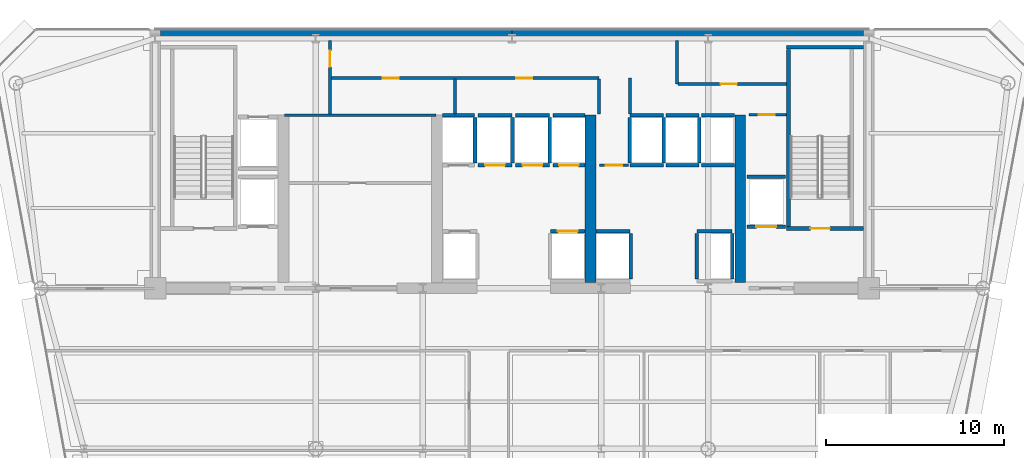
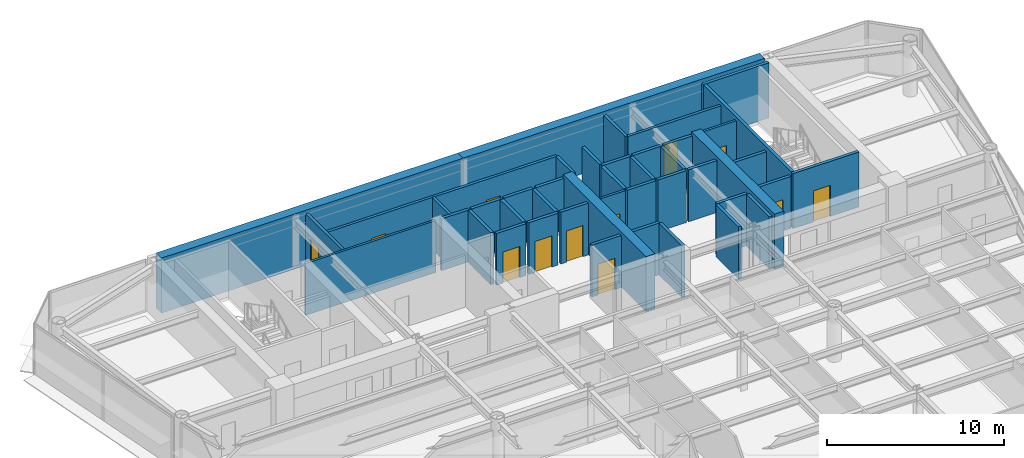
# One storey, part 11 of 16: 44 walls, 12 doors, 12 openings.
"""IFC4 building model written with IfcOpenShell, lengths in metres."""

from ifc_helpers import new_model, si_unit, direction, frame, frame_2d, origin, place, context, subcontext, project, spatial, rectangle, extrude, source, transform, mapped, material, layer, layer_set, type_object, element, fill, save


model = new_model("IFC4")

# Units and contexts
model_context = context("Model", 3, precision=1e-05, world=origin(), true_north=direction((0.0, 1.0)))
body_context = subcontext(model_context, "Body", "Model", "MODEL_VIEW")
ifc_project = project(units=[si_unit("LENGTHUNIT", "METRE"), si_unit("AREAUNIT", "SQUARE_METRE"), si_unit("VOLUMEUNIT", "CUBIC_METRE"), si_unit("PLANEANGLEUNIT", "RADIAN"), si_unit("MASSUNIT", "GRAM", prefix="KILO")], contexts=[model_context])

# Site, building, storey
site_placement = place(None, origin())
site = spatial("IfcSite", under=ifc_project, at=site_placement, CompositionType="ELEMENT")
building_placement = place(site_placement, origin())
building = spatial("IfcBuilding", under=site, at=building_placement, Name="Vaeldorn Concourse Tower", CompositionType="ELEMENT")
storey_placement = place(building_placement, frame((0.0, 0.0, 184.199951171875)))
storey = spatial("IfcBuildingStorey", under=building, at=storey_placement, Name="L47", CompositionType="ELEMENT", Elevation=184.199951171875)

# Walls
ifc_material_1 = material(Name="Concrete C50/60", Category="concrete")
ifc_layer_1 = layer(ifc_material_1, 0.60009765625)
ifc_layer_set_1 = layer_set([ifc_layer_1], Name="Concrete C50/60")
wall_type_1 = type_object("IfcWallType", Name="WL-CORE-600", PredefinedType="SHEAR", material=ifc_layer_set_1)
for number, where, z_axis, x_axis, name in (
    (1, (14.303955078125, 50.699951171875, 0.0), (0.0, 0.0, 1.0), (1.0, 0.0, 0.0), "Rear Core Shear Wall L47 N1"),
    (2, (34.001953125, 50.699951171875, 0.0), (0.0, 0.0, 1.0), (1.0, 0.0, 0.0), "Rear Core Shear Wall L47 N2"),
):
    element("IfcWall", number, at=place(storey_placement, frame(where, z_axis=z_axis, x_axis=x_axis)), inside=storey, type_object=wall_type_1, Name=name, PredefinedType="SHEAR", context=body_context, shape_type="SweptSolid", body=[
        extrude(rectangle(XDim=19.694091796875, YDim=0.60009765625, at=frame_2d((9.84716796875, 0.0))), origin(), (0.0, 0.0, 1.0), 3.800048828125),
    ])
for number, where, z_axis, x_axis, name in (
    (3, (38.39990234375, 36.820068359375, 0.0), (0.0, 0.0, 1.0), (0.0, 1.0, 0.0), "Rear Core Shear Wall L47 M3"),
    (4, (46.800048828125, 36.820068359375, 0.0), (0.0, 0.0, 1.0), (0.0, 1.0, 0.0), "Rear Core Shear Wall L47 M4"),
):
    element("IfcWall", number, at=place(storey_placement, frame(where, z_axis=z_axis, x_axis=x_axis)), inside=storey, type_object=wall_type_1, Name=name, PredefinedType="SHEAR", context=body_context, shape_type="SweptSolid", body=[
        extrude(rectangle(XDim=9.3798828125, YDim=0.60009765625, at=frame_2d((4.68994140625, 0.0))), origin(), (0.0, 0.0, 1.0), 3.800048828125),
    ])
ifc_material_2 = material(Name="Gypsum Board Partition", Category="gypsum")
ifc_layer_2 = layer(ifc_material_2, 0.14990234375)
ifc_layer_set_2 = layer_set([ifc_layer_2], Name="Gypsum Board Partition")
wall_type_2 = type_object("IfcWallType", Name="WL-PART-150", PredefinedType="PARTITIONING", material=ifc_layer_set_2)
wall_1_placement = place(storey_placement, frame((21.25, 46.199951171875, 0.0), z_axis=(0.0, 0.0, 1.0), x_axis=(1.0, 0.0, 0.0)))
element("IfcWall", 5, at=wall_1_placement, inside=storey, type_object=wall_type_2, Name="Interior Wall CW-L47-R1N", PredefinedType="PARTITIONING", context=body_context, shape_type="SweptSolid", body=[
    extrude(rectangle(XDim=8.5, YDim=0.14990234375, at=frame_2d((4.25, 0.0))), origin(), (0.0, 0.0, 1.0), 3.580078125),
])

# Wall, opening, door
wall_2_placement = place(storey_placement, frame((47.280029296875, 46.219970703125, 0.0), z_axis=(0.0, 0.0, 1.0), x_axis=(1.0, 0.0, 0.0)))
wall_2 = element("IfcWall", 6, at=wall_2_placement, inside=storey, type_object=wall_type_2, Name="Interior Wall CW-L47-CRSE-N", PredefinedType="PARTITIONING", context=body_context, shape_type="SweptSolid", body=[
    extrude(rectangle(XDim=2.099853515625, YDim=0.14990234375, at=frame_2d((1.0498046875, 0.0))), origin(), (0.0, 0.0, 1.0), 3.580078125),
])
opening_1_placement = place(wall_2_placement, frame((0.550048828125, 0.0, 0.0)))
opening_1 = element("IfcOpeningElement", 7, at=opening_1_placement, cuts=wall_2, Name="Opening D-02", PredefinedType="OPENING", context=body_context, shape_type="SweptSolid", body=[
    extrude(rectangle(XDim=0.89990234375, YDim=2.10009765625, at=frame_2d((0.449951171875, 1.050048828125))), frame((0.0, 0.0849609375, 0.0), z_axis=(0.0, -1.0, 0.0), x_axis=(1.0, 0.0, 0.0)), (0.0, 0.0, 1.0), 0.169921875),
])
ifc_material_3 = material(Name="Fire-Rated Timber Leaf", Category="wood")
door_type_1 = type_object("IfcDoorType", Name="DR-FD30-900", OperationType="NOTDEFINED", PredefinedType="DOOR", material=ifc_material_3)
shared_shape_1 = source(origin(), body_context, "Body", "SweptSolid", [
    extrude(rectangle(XDim=0.89990234375, YDim=2.10009765625, at=frame_2d((0.449951171875, 1.050048828125))), frame((0.0, 0.02490234375, 0.0), z_axis=(0.0, -1.0, 0.0), x_axis=(1.0, 0.0, 0.0)), (0.0, 0.0, 1.0), 0.050048828125),
])
door_1_placement = place(opening_1_placement, origin())
door_1 = element("IfcDoor", 8, at=door_1_placement, inside=storey, type_object=door_type_1, Name="Interior Door DR-L47-CRSE", OperationType="SINGLE_SWING_RIGHT", OverallHeight=2.10009765625, OverallWidth=0.89990234375, PredefinedType="DOOR", context=body_context, shape_type="MappedRepresentation", body=[
    mapped(shared_shape_1, transform((0.0, 0.0, 0.0), scale=1.0)),
])
fill(opening_1, door_1)

wall_3_placement = place(storey_placement, frame((38.919921875, 43.39990234375, 0.0), z_axis=(0.0, 0.0, 1.0), x_axis=(1.0, 0.0, 0.0)))
wall_3 = element("IfcWall", 9, at=wall_3_placement, inside=storey, type_object=wall_type_2, Name="Interior Wall CW-L47-CCLINK", PredefinedType="PARTITIONING", context=body_context, shape_type="SweptSolid", body=[
    extrude(rectangle(XDim=1.60009765625, YDim=0.14990234375, at=frame_2d((0.800048828125, 0.0))), origin(), (0.0, 0.0, 1.0), 3.580078125),
])
opening_2_placement = place(wall_3_placement, frame((0.35009765625, 0.0, 0.0)))
opening_2 = element("IfcOpeningElement", 10, at=opening_2_placement, cuts=wall_3, Name="Opening D-02", PredefinedType="OPENING", context=body_context, shape_type="SweptSolid", body=[
    extrude(rectangle(XDim=0.89990234375, YDim=2.10009765625, at=frame_2d((0.449951171875, 1.050048828125))), frame((0.0, 0.0849609375, 0.0), z_axis=(0.0, -1.0, 0.0), x_axis=(1.0, 0.0, 0.0)), (0.0, 0.0, 1.0), 0.169921875),
])
door_2_placement = place(opening_2_placement, origin())
door_2 = element("IfcDoor", 11, at=door_2_placement, inside=storey, type_object=door_type_1, Name="Interior Door DR-L47-CCLINK", OperationType="SINGLE_SWING_LEFT", OverallHeight=2.10009765625, OverallWidth=0.89990234375, PredefinedType="DOOR", context=body_context, shape_type="MappedRepresentation", body=[
    mapped(shared_shape_1, transform((0.0, 0.0, 0.0), scale=1.0)),
])
fill(opening_2, door_2)

# Wall, openings, doors
ifc_layer_3 = layer(ifc_material_2, 0.179931640625)
ifc_layer_set_3 = layer_set([ifc_layer_3], Name="Gypsum Board Partition")
wall_type_3 = type_object("IfcWallType", Name="WL-PLUMB-180", PredefinedType="PLUMBINGWALL", material=ifc_layer_set_3)
wall_4_placement = place(storey_placement, frame((23.85009765625, 48.280029296875, 0.0), z_axis=(0.0, 0.0, 1.0), x_axis=(1.0, 0.0, 0.0)))
wall_4 = element("IfcWall", 12, at=wall_4_placement, inside=storey, type_object=wall_type_3, Name="Interior Wall CW-L47-NS2W", PredefinedType="PLUMBINGWALL", context=body_context, shape_type="SweptSolid", body=[
    extrude(rectangle(XDim=15.02978515625, YDim=0.179931640625, at=frame_2d((7.514892578125, 0.0))), origin(), (0.0, 0.0, 1.0), 3.580078125),
])
opening_3_placement = place(wall_4_placement, frame((2.89990234375, 0.0, 0.0)))
opening_3 = element("IfcOpeningElement", 13, at=opening_3_placement, cuts=wall_4, Name="Opening D-03", PredefinedType="OPENING", context=body_context, shape_type="SweptSolid", body=[
    extrude(rectangle(XDim=0.89990234375, YDim=2.14990234375, at=frame_2d((0.449951171875, 1.074951171875))), frame((0.0, 0.10009765625, 0.0), z_axis=(0.0, -1.0, 0.0), x_axis=(1.0, 0.0, 0.0)), (0.0, 0.0, 1.0), 0.199951171875),
])
opening_4_placement = place(wall_4_placement, frame((10.39990234375, 0.0, 0.0)))
opening_4 = element("IfcOpeningElement", 14, at=opening_4_placement, cuts=wall_4, Name="Opening D-03", PredefinedType="OPENING", context=body_context, shape_type="SweptSolid", body=[
    extrude(rectangle(XDim=0.89990234375, YDim=2.14990234375, at=frame_2d((0.449951171875, 1.074951171875))), frame((0.0, 0.10009765625, 0.0), z_axis=(0.0, -1.0, 0.0), x_axis=(1.0, 0.0, 0.0)), (0.0, 0.0, 1.0), 0.199951171875),
])
ifc_material_4 = material(Name="Acoustic Bronze-Framed Glass Door", Category="glass")
door_type_2 = type_object("IfcDoorType", Name="DR-INT-900", OperationType="NOTDEFINED", PredefinedType="DOOR", material=ifc_material_4)
shared_shape_2 = source(origin(), body_context, "Body", "SweptSolid", [
    extrude(rectangle(XDim=0.89990234375, YDim=2.14990234375, at=frame_2d((0.449951171875, 1.074951171875))), frame((0.0, 0.02490234375, 0.0), z_axis=(0.0, -1.0, 0.0), x_axis=(1.0, 0.0, 0.0)), (0.0, 0.0, 1.0), 0.050048828125),
])
door_3_placement = place(opening_3_placement, origin())
door_3 = element("IfcDoor", 15, at=door_3_placement, inside=storey, type_object=door_type_2, Name="Interior Door DR-L47-CS2", OperationType="SINGLE_SWING_RIGHT", OverallHeight=2.14990234375, OverallWidth=0.89990234375, PredefinedType="DOOR", context=body_context, shape_type="MappedRepresentation", body=[
    mapped(shared_shape_2, transform((0.0, 0.0, 0.0), scale=1.0)),
])
fill(opening_3, door_3)
door_4_placement = place(opening_4_placement, origin())
door_4 = element("IfcDoor", 16, at=door_4_placement, inside=storey, type_object=door_type_2, Name="Interior Door DR-L47-CS3", OperationType="SINGLE_SWING_LEFT", OverallHeight=2.14990234375, OverallWidth=0.89990234375, PredefinedType="DOOR", context=body_context, shape_type="MappedRepresentation", body=[
    mapped(shared_shape_2, transform((0.0, 0.0, 0.0), scale=1.0)),
])
fill(opening_4, door_4)

# Wall, opening, door
wall_5_placement = place(storey_placement, frame((23.800048828125, 46.280029296875, 0.0), z_axis=(0.0, 0.0, 1.0), x_axis=(0.0, 1.0, 0.0)))
wall_5 = element("IfcWall", 17, at=wall_5_placement, inside=storey, type_object=wall_type_3, Name="Interior Wall CW-L47-SDIV1", PredefinedType="PLUMBINGWALL", context=body_context, shape_type="SweptSolid", body=[
    extrude(rectangle(XDim=4.099853515625, YDim=0.179931640625, at=frame_2d((2.0498046875, 0.0))), origin(), (0.0, 0.0, 1.0), 3.580078125),
])
opening_5_placement = place(wall_5_placement, frame((2.635009765625, 0.0, 0.0)))
opening_5 = element("IfcOpeningElement", 18, at=opening_5_placement, cuts=wall_5, Name="Opening D-03", PredefinedType="OPENING", context=body_context, shape_type="SweptSolid", body=[
    extrude(rectangle(XDim=0.89990234375, YDim=2.14990234375, at=frame_2d((0.449951171875, 1.074951171875))), frame((0.0, 0.10009765625, 0.0), z_axis=(0.0, -1.0, 0.0), x_axis=(1.0, 0.0, 0.0)), (0.0, 0.0, 1.0), 0.199951171875),
])
door_5_placement = place(opening_5_placement, origin())
door_5 = element("IfcDoor", 19, at=door_5_placement, inside=storey, type_object=door_type_2, Name="Interior Door DR-L47-CS1", OperationType="SINGLE_SWING_LEFT", OverallHeight=2.14990234375, OverallWidth=0.89990234375, PredefinedType="DOOR", context=body_context, shape_type="MappedRepresentation", body=[
    mapped(shared_shape_2, transform((0.0, 0.0, 0.0), scale=1.0)),
])
fill(opening_5, door_5)

# Walls
for number, where, z_axis, x_axis, name in (
    (20, (30.800048828125, 46.280029296875, 0.0), (0.0, 0.0, 1.0), (0.0, 1.0, 0.0), "Interior Wall CW-L47-SDIV2"),
    (21, (38.8798828125, 46.280029296875, 0.0), (0.0, 0.0, 1.0), (0.0, 1.0, 0.0), "Interior Wall CW-L47-SDIV4"),
):
    element("IfcWall", number, at=place(storey_placement, frame(where, z_axis=z_axis, x_axis=x_axis)), inside=storey, type_object=wall_type_3, Name=name, PredefinedType="PLUMBINGWALL", context=body_context, shape_type="SweptSolid", body=[
        extrude(rectangle(XDim=1.93994140625, YDim=0.179931640625, at=frame_2d((0.969970703125, 0.0))), origin(), (0.0, 0.0, 1.0), 3.580078125),
    ])
wall_6_placement = place(storey_placement, frame((40.6201171875, 46.280029296875, 0.0), z_axis=(0.0, 0.0, 1.0), x_axis=(0.0, 1.0, 0.0)))
element("IfcWall", 22, at=wall_6_placement, inside=storey, type_object=wall_type_3, Name="Interior Wall CW-L47-SDIV5", PredefinedType="PLUMBINGWALL", context=body_context, shape_type="SweptSolid", body=[
    extrude(rectangle(XDim=2.0, YDim=0.179931640625, at=frame_2d((1.0, 0.0))), origin(), (0.0, 0.0, 1.0), 3.580078125),
])
wall_7_placement = place(storey_placement, frame((43.25, 47.949951171875, 0.0), z_axis=(0.0, 0.0, 1.0), x_axis=(0.0, 1.0, 0.0)))
element("IfcWall", 23, at=wall_7_placement, inside=storey, type_object=wall_type_3, Name="Interior Wall CW-L47-SDIV6", PredefinedType="PLUMBINGWALL", context=body_context, shape_type="SweptSolid", body=[
    extrude(rectangle(XDim=2.429931640625, YDim=0.179931640625, at=frame_2d((1.21484375, 0.0))), origin(), (0.0, 0.0, 1.0), 3.580078125),
])

# Wall, opening, door
wall_8_placement = place(storey_placement, frame((43.300048828125, 47.949951171875, 0.0), z_axis=(0.0, 0.0, 1.0), x_axis=(1.0, 0.0, 0.0)))
wall_8 = element("IfcWall", 24, at=wall_8_placement, inside=storey, type_object=wall_type_3, Name="Interior Wall CW-L47-NS2EE", PredefinedType="PLUMBINGWALL", context=body_context, shape_type="SweptSolid", body=[
    extrude(rectangle(XDim=6.079833984375, YDim=0.179931640625, at=frame_2d((3.0400390625, 0.0))), origin(), (0.0, 0.0, 1.0), 3.580078125),
])
opening_6_placement = place(wall_8_placement, frame((2.39990234375, 0.0, 0.0)))
opening_6 = element("IfcOpeningElement", 25, at=opening_6_placement, cuts=wall_8, Name="Opening D-03", PredefinedType="OPENING", context=body_context, shape_type="SweptSolid", body=[
    extrude(rectangle(XDim=0.89990234375, YDim=2.14990234375, at=frame_2d((0.449951171875, 1.074951171875))), frame((0.0, 0.10009765625, 0.0), z_axis=(0.0, -1.0, 0.0), x_axis=(1.0, 0.0, 0.0)), (0.0, 0.0, 1.0), 0.199951171875),
])
door_6_placement = place(opening_6_placement, origin())
door_6 = element("IfcDoor", 26, at=door_6_placement, inside=storey, type_object=door_type_2, Name="Interior Door DR-L47-CS5", OperationType="SINGLE_SWING_RIGHT", OverallHeight=2.14990234375, OverallWidth=0.89990234375, PredefinedType="DOOR", context=body_context, shape_type="MappedRepresentation", body=[
    mapped(shared_shape_2, transform((0.0, 0.0, 0.0), scale=1.0)),
])
fill(opening_6, door_6)

ifc_layer_4 = layer(ifc_material_1, 0.199951171875)
ifc_layer_set_4 = layer_set([ifc_layer_4], Name="Concrete C50/60")
wall_type_4 = type_object("IfcWallType", Name="WL-SHAFT-200", PredefinedType="SOLIDWALL", material=ifc_layer_set_4)
wall_9_placement = place(storey_placement, frame((49.39990234375, 39.85009765625, 0.0), z_axis=(0.0, 0.0, 1.0), x_axis=(1.0, 0.0, 0.0)))
wall_9 = element("IfcWall", 27, at=wall_9_placement, inside=storey, type_object=wall_type_4, Name="Stair Shaft Wall CW-L47-ST-2-S", PredefinedType="SOLIDWALL", context=body_context, shape_type="SweptSolid", body=[
    extrude(rectangle(XDim=4.300048828125, YDim=0.199951171875, at=frame_2d((2.14990234375, 0.0))), origin(), (0.0, 0.0, 1.0), 3.800048828125),
])
opening_7_placement = place(wall_9_placement, frame((1.324951171875, 0.0, 0.0)))
opening_7 = element("IfcOpeningElement", 28, at=opening_7_placement, cuts=wall_9, Name="Opening D-01", PredefinedType="OPENING", context=body_context, shape_type="SweptSolid", body=[
    extrude(rectangle(XDim=1.10009765625, YDim=2.14990234375, at=frame_2d((0.550048828125, 1.074951171875))), frame((0.0, 0.10986328125, 0.0), z_axis=(0.0, -1.0, 0.0), x_axis=(1.0, 0.0, 0.0)), (0.0, 0.0, 1.0), 0.219970703125),
])
ifc_material_5 = material(Name="Fire-Rated Timber and Steel Leaf", Category="steel")
door_type_3 = type_object("IfcDoorType", Name="DR-FD60-1100", OperationType="NOTDEFINED", PredefinedType="DOOR", material=ifc_material_5)
shared_shape_3 = source(origin(), body_context, "Body", "SweptSolid", [
    extrude(rectangle(XDim=1.10009765625, YDim=2.14990234375, at=frame_2d((0.550048828125, 1.074951171875))), frame((0.0, 0.02490234375, 0.0), z_axis=(0.0, -1.0, 0.0), x_axis=(1.0, 0.0, 0.0)), (0.0, 0.0, 1.0), 0.050048828125),
])
door_7_placement = place(opening_7_placement, origin())
door_7 = element("IfcDoor", 29, at=door_7_placement, inside=storey, type_object=door_type_3, Name="Interior Door DR-L47-ST-2", OperationType="SINGLE_SWING_RIGHT", OverallHeight=2.14990234375, OverallWidth=1.10009765625, PredefinedType="DOOR", context=body_context, shape_type="MappedRepresentation", body=[
    mapped(shared_shape_3, transform((0.0, 0.0, 0.0), scale=1.0)),
])
fill(opening_7, door_7)

# Walls
wall_10_placement = place(storey_placement, frame((49.39990234375, 50.0, 0.0), z_axis=(0.0, 0.0, 1.0), x_axis=(1.0, 0.0, 0.0)))
element("IfcWall", 30, at=wall_10_placement, inside=storey, type_object=wall_type_4, Name="Stair Shaft Wall CW-L47-ST-2-N", PredefinedType="SOLIDWALL", context=body_context, shape_type="SweptSolid", body=[
    extrude(rectangle(XDim=4.300048828125, YDim=0.199951171875, at=frame_2d((2.14990234375, 0.0))), origin(), (0.0, 0.0, 1.0), 3.800048828125),
])
wall_11_placement = place(storey_placement, frame((49.5, 39.9599609375, 0.0), z_axis=(0.0, 0.0, 1.0), x_axis=(0.0, 1.0, 0.0)))
element("IfcWall", 31, at=wall_11_placement, inside=storey, type_object=wall_type_4, Name="Stair Shaft Wall CW-L47-ST-2-W", PredefinedType="SOLIDWALL", context=body_context, shape_type="SweptSolid", body=[
    extrude(rectangle(XDim=9.929931640625, YDim=0.199951171875, at=frame_2d((4.96484375, 0.0))), origin(), (0.0, 0.0, 1.0), 3.800048828125),
])

# Wall, opening, door
wall_12_placement = place(storey_placement, frame((36.169921875, 39.699951171875, 0.0), z_axis=(0.0, 0.0, 1.0), x_axis=(1.0, 0.0, 0.0)))
wall_12 = element("IfcWall", 32, at=wall_12_placement, inside=storey, type_object=wall_type_4, Name="Interior Wall CW-L47-LF-LF-08", PredefinedType="SOLIDWALL", context=body_context, shape_type="SweptSolid", body=[
    extrude(rectangle(XDim=1.920166015625, YDim=0.199951171875, at=frame_2d((0.9599609375, 0.0))), origin(), (0.0, 0.0, 1.0), 3.580078125),
])
opening_8_placement = place(wall_12_placement, frame((0.409912109375, 0.0, 0.0)))
opening_8 = element("IfcOpeningElement", 33, at=opening_8_placement, cuts=wall_12, Name="Opening LD-1", PredefinedType="OPENING", context=body_context, shape_type="SweptSolid", body=[
    extrude(rectangle(XDim=1.10009765625, YDim=2.14990234375, at=frame_2d((0.550048828125, 1.074951171875))), frame((0.0, 0.10986328125, 0.0), z_axis=(0.0, -1.0, 0.0), x_axis=(1.0, 0.0, 0.0)), (0.0, 0.0, 1.0), 0.219970703125),
])
ifc_material_6 = material(Name="Anodised Bronze Aluminium", Category="aluminium")
door_type_4 = type_object("IfcDoorType", Name="DR-LIFT-SLIDE-1100", OperationType="DOUBLE_DOOR_SLIDING", PredefinedType="DOOR", material=ifc_material_6)
door_8_placement = place(opening_8_placement, origin())
door_8 = element("IfcDoor", 34, at=door_8_placement, inside=storey, type_object=door_type_4, Name="Lift Landing Door LD-L47-LF-08", OperationType="DOUBLE_DOOR_SLIDING", OverallHeight=2.14990234375, OverallWidth=1.10009765625, PredefinedType="DOOR", context=body_context, shape_type="MappedRepresentation", body=[
    mapped(shared_shape_3, transform((0.0, 0.0, 0.0), scale=1.0)),
])
fill(opening_8, door_8)

# Walls
wall_13_placement = place(storey_placement, frame((30.110107421875, 46.199951171875, 0.0), z_axis=(0.0, 0.0, 1.0), x_axis=(1.0, 0.0, 0.0)))
element("IfcWall", 35, at=wall_13_placement, inside=storey, type_object=wall_type_4, Name="Interior Wall CW-L47-LFB-LF-09", PredefinedType="SOLIDWALL", context=body_context, shape_type="SweptSolid", body=[
    extrude(rectangle(XDim=1.7998046875, YDim=0.199951171875, at=frame_2d((0.89990234375, 0.0))), origin(), (0.0, 0.0, 1.0), 3.580078125),
])
wall_14_placement = place(storey_placement, frame((31.929931640625, 43.52001953125, 0.0), z_axis=(0.0, 0.0, 1.0), x_axis=(0.0, 1.0, 0.0)))
element("IfcWall", 36, at=wall_14_placement, inside=storey, type_object=wall_type_4, Name="Interior Wall CW-L47-LFE-LF-09", PredefinedType="SOLIDWALL", context=body_context, shape_type="SweptSolid", body=[
    extrude(rectangle(XDim=2.56005859375, YDim=0.199951171875, at=frame_2d((1.280029296875, 0.0))), origin(), (0.0, 0.0, 1.0), 3.580078125),
])

# Wall, opening, door
wall_15_placement = place(storey_placement, frame((32.090087890625, 43.39990234375, 0.0), z_axis=(0.0, 0.0, 1.0), x_axis=(1.0, 0.0, 0.0)))
wall_15 = element("IfcWall", 37, at=wall_15_placement, inside=storey, type_object=wall_type_4, Name="Interior Wall CW-L47-LF-LF-10", PredefinedType="SOLIDWALL", context=body_context, shape_type="SweptSolid", body=[
    extrude(rectangle(XDim=1.919921875, YDim=0.199951171875, at=frame_2d((0.9599609375, 0.0))), origin(), (0.0, 0.0, 1.0), 3.580078125),
])
opening_9_placement = place(wall_15_placement, frame((0.409912109375, 0.0, 0.0)))
opening_9 = element("IfcOpeningElement", 38, at=opening_9_placement, cuts=wall_15, Name="Opening LD-1", PredefinedType="OPENING", context=body_context, shape_type="SweptSolid", body=[
    extrude(rectangle(XDim=1.10009765625, YDim=2.14990234375, at=frame_2d((0.550048828125, 1.074951171875))), frame((0.0, 0.10986328125, 0.0), z_axis=(0.0, -1.0, 0.0), x_axis=(1.0, 0.0, 0.0)), (0.0, 0.0, 1.0), 0.219970703125),
])
door_9_placement = place(opening_9_placement, origin())
door_9 = element("IfcDoor", 39, at=door_9_placement, inside=storey, type_object=door_type_4, Name="Lift Landing Door LD-L47-LF-10", OperationType="DOUBLE_DOOR_SLIDING", OverallHeight=2.14990234375, OverallWidth=1.10009765625, PredefinedType="DOOR", context=body_context, shape_type="MappedRepresentation", body=[
    mapped(shared_shape_3, transform((0.0, 0.0, 0.0), scale=1.0)),
])
fill(opening_9, door_9)

# Walls
wall_16_placement = place(storey_placement, frame((32.090087890625, 46.199951171875, 0.0), z_axis=(0.0, 0.0, 1.0), x_axis=(1.0, 0.0, 0.0)))
element("IfcWall", 40, at=wall_16_placement, inside=storey, type_object=wall_type_4, Name="Interior Wall CW-L47-LFB-LF-10", PredefinedType="SOLIDWALL", context=body_context, shape_type="SweptSolid", body=[
    extrude(rectangle(XDim=1.919921875, YDim=0.199951171875, at=frame_2d((0.9599609375, 0.0))), origin(), (0.0, 0.0, 1.0), 3.580078125),
])
wall_17_placement = place(storey_placement, frame((34.030029296875, 43.52001953125, 0.0), z_axis=(0.0, 0.0, 1.0), x_axis=(0.0, 1.0, 0.0)))
element("IfcWall", 41, at=wall_17_placement, inside=storey, type_object=wall_type_4, Name="Interior Wall CW-L47-LFE-LF-10", PredefinedType="SOLIDWALL", context=body_context, shape_type="SweptSolid", body=[
    extrude(rectangle(XDim=2.56005859375, YDim=0.199951171875, at=frame_2d((1.280029296875, 0.0))), origin(), (0.0, 0.0, 1.0), 3.580078125),
])

# Wall, opening, door
wall_18_placement = place(storey_placement, frame((34.18994140625, 43.39990234375, 0.0), z_axis=(0.0, 0.0, 1.0), x_axis=(1.0, 0.0, 0.0)))
wall_18 = element("IfcWall", 42, at=wall_18_placement, inside=storey, type_object=wall_type_4, Name="Interior Wall CW-L47-LF-LF-11", PredefinedType="SOLIDWALL", context=body_context, shape_type="SweptSolid", body=[
    extrude(rectangle(XDim=1.920166015625, YDim=0.199951171875, at=frame_2d((0.9599609375, 0.0))), origin(), (0.0, 0.0, 1.0), 3.580078125),
])
opening_10_placement = place(wall_18_placement, frame((0.409912109375, 0.0, 0.0)))
opening_10 = element("IfcOpeningElement", 43, at=opening_10_placement, cuts=wall_18, Name="Opening LD-1", PredefinedType="OPENING", context=body_context, shape_type="SweptSolid", body=[
    extrude(rectangle(XDim=1.10009765625, YDim=2.14990234375, at=frame_2d((0.550048828125, 1.074951171875))), frame((0.0, 0.10986328125, 0.0), z_axis=(0.0, -1.0, 0.0), x_axis=(1.0, 0.0, 0.0)), (0.0, 0.0, 1.0), 0.219970703125),
])
door_10_placement = place(opening_10_placement, origin())
door_10 = element("IfcDoor", 44, at=door_10_placement, inside=storey, type_object=door_type_4, Name="Lift Landing Door LD-L47-LF-11", OperationType="DOUBLE_DOOR_SLIDING", OverallHeight=2.14990234375, OverallWidth=1.10009765625, PredefinedType="DOOR", context=body_context, shape_type="MappedRepresentation", body=[
    mapped(shared_shape_3, transform((0.0, 0.0, 0.0), scale=1.0)),
])
fill(opening_10, door_10)

# Walls
wall_19_placement = place(storey_placement, frame((34.18994140625, 46.199951171875, 0.0), z_axis=(0.0, 0.0, 1.0), x_axis=(1.0, 0.0, 0.0)))
element("IfcWall", 45, at=wall_19_placement, inside=storey, type_object=wall_type_4, Name="Interior Wall CW-L47-LFB-LF-11", PredefinedType="SOLIDWALL", context=body_context, shape_type="SweptSolid", body=[
    extrude(rectangle(XDim=1.920166015625, YDim=0.199951171875, at=frame_2d((0.9599609375, 0.0))), origin(), (0.0, 0.0, 1.0), 3.580078125),
])
wall_20_placement = place(storey_placement, frame((36.1298828125, 43.52001953125, 0.0), z_axis=(0.0, 0.0, 1.0), x_axis=(0.0, 1.0, 0.0)))
element("IfcWall", 46, at=wall_20_placement, inside=storey, type_object=wall_type_4, Name="Interior Wall CW-L47-LFE-LF-11", PredefinedType="SOLIDWALL", context=body_context, shape_type="SweptSolid", body=[
    extrude(rectangle(XDim=2.56005859375, YDim=0.199951171875, at=frame_2d((1.280029296875, 0.0))), origin(), (0.0, 0.0, 1.0), 3.580078125),
])

# Wall, opening, door
wall_21_placement = place(storey_placement, frame((36.2900390625, 43.39990234375, 0.0), z_axis=(0.0, 0.0, 1.0), x_axis=(1.0, 0.0, 0.0)))
wall_21 = element("IfcWall", 47, at=wall_21_placement, inside=storey, type_object=wall_type_4, Name="Interior Wall CW-L47-LF-LF-12", PredefinedType="SOLIDWALL", context=body_context, shape_type="SweptSolid", body=[
    extrude(rectangle(XDim=1.800048828125, YDim=0.199951171875, at=frame_2d((0.89990234375, 0.0))), origin(), (0.0, 0.0, 1.0), 3.580078125),
])
opening_11_placement = place(wall_21_placement, frame((0.35009765625, 0.0, 0.0)))
opening_11 = element("IfcOpeningElement", 48, at=opening_11_placement, cuts=wall_21, Name="Opening LD-1", PredefinedType="OPENING", context=body_context, shape_type="SweptSolid", body=[
    extrude(rectangle(XDim=1.10009765625, YDim=2.14990234375, at=frame_2d((0.550048828125, 1.074951171875))), frame((0.0, 0.10986328125, 0.0), z_axis=(0.0, -1.0, 0.0), x_axis=(1.0, 0.0, 0.0)), (0.0, 0.0, 1.0), 0.219970703125),
])
door_11_placement = place(opening_11_placement, origin())
door_11 = element("IfcDoor", 49, at=door_11_placement, inside=storey, type_object=door_type_4, Name="Lift Landing Door LD-L47-LF-12", OperationType="DOUBLE_DOOR_SLIDING", OverallHeight=2.14990234375, OverallWidth=1.10009765625, PredefinedType="DOOR", context=body_context, shape_type="MappedRepresentation", body=[
    mapped(shared_shape_3, transform((0.0, 0.0, 0.0), scale=1.0)),
])
fill(opening_11, door_11)

# Walls
wall_22_placement = place(storey_placement, frame((36.2900390625, 46.199951171875, 0.0), z_axis=(0.0, 0.0, 1.0), x_axis=(1.0, 0.0, 0.0)))
element("IfcWall", 50, at=wall_22_placement, inside=storey, type_object=wall_type_4, Name="Interior Wall CW-L47-LFB-LF-12", PredefinedType="SOLIDWALL", context=body_context, shape_type="SweptSolid", body=[
    extrude(rectangle(XDim=1.800048828125, YDim=0.199951171875, at=frame_2d((0.89990234375, 0.0))), origin(), (0.0, 0.0, 1.0), 3.580078125),
])
wall_23_placement = place(storey_placement, frame((38.7099609375, 39.699951171875, 0.0), z_axis=(0.0, 0.0, 1.0), x_axis=(1.0, 0.0, 0.0)))
element("IfcWall", 51, at=wall_23_placement, inside=storey, type_object=wall_type_4, Name="Interior Wall CW-L47-LF-LF-13", PredefinedType="SOLIDWALL", context=body_context, shape_type="SweptSolid", body=[
    extrude(rectangle(XDim=1.919921875, YDim=0.199951171875, at=frame_2d((0.9599609375, 0.0))), origin(), (0.0, 0.0, 1.0), 3.580078125),
])
wall_24_placement = place(storey_placement, frame((40.64990234375, 37.02001953125, 0.0), z_axis=(0.0, 0.0, 1.0), x_axis=(0.0, 1.0, 0.0)))
element("IfcWall", 52, at=wall_24_placement, inside=storey, type_object=wall_type_4, Name="Interior Wall CW-L47-LFE-LF-13", PredefinedType="SOLIDWALL", context=body_context, shape_type="SweptSolid", body=[
    extrude(rectangle(XDim=2.56005859375, YDim=0.199951171875, at=frame_2d((1.280029296875, 0.0))), origin(), (0.0, 0.0, 1.0), 3.580078125),
])
wall_25_placement = place(storey_placement, frame((44.3701171875, 39.699951171875, 0.0), z_axis=(0.0, 0.0, 1.0), x_axis=(1.0, 0.0, 0.0)))
element("IfcWall", 53, at=wall_25_placement, inside=storey, type_object=wall_type_4, Name="Interior Wall CW-L47-LF-LF-14", PredefinedType="SOLIDWALL", context=body_context, shape_type="SweptSolid", body=[
    extrude(rectangle(XDim=1.9599609375, YDim=0.199951171875, at=frame_2d((0.97998046875, 0.0))), origin(), (0.0, 0.0, 1.0), 3.580078125),
])
for number, where, z_axis, x_axis, name in (
    (54, (44.35009765625, 37.02001953125, 0.0), (0.0, 0.0, 1.0), (0.0, 1.0, 0.0), "Interior Wall CW-L47-LFW-LF-14"),
    (55, (46.35009765625, 37.02001953125, 0.0), (0.0, 0.0, 1.0), (0.0, 1.0, 0.0), "Interior Wall CW-L47-LFE-LF-14"),
):
    element("IfcWall", number, at=place(storey_placement, frame(where, z_axis=z_axis, x_axis=x_axis)), inside=storey, type_object=wall_type_4, Name=name, PredefinedType="SOLIDWALL", context=body_context, shape_type="SweptSolid", body=[
        extrude(rectangle(XDim=2.56005859375, YDim=0.199951171875, at=frame_2d((1.280029296875, 0.0))), origin(), (0.0, 0.0, 1.0), 3.580078125),
    ])
for number, where, z_axis, x_axis, name in (
    (56, (40.6201171875, 43.39990234375, 0.0), (0.0, 0.0, 1.0), (1.0, 0.0, 0.0), "Interior Wall CW-L47-LF-LF-15"),
    (57, (40.6201171875, 46.199951171875, 0.0), (0.0, 0.0, 1.0), (1.0, 0.0, 0.0), "Interior Wall CW-L47-LFB-LF-15"),
):
    element("IfcWall", number, at=place(storey_placement, frame(where, z_axis=z_axis, x_axis=x_axis)), inside=storey, type_object=wall_type_4, Name=name, PredefinedType="SOLIDWALL", context=body_context, shape_type="SweptSolid", body=[
        extrude(rectangle(XDim=1.85986328125, YDim=0.199951171875, at=frame_2d((0.929931640625, 0.0))), origin(), (0.0, 0.0, 1.0), 3.580078125),
    ])
for number, where, z_axis, x_axis, name in (
    (58, (40.60009765625, 43.52001953125, 0.0), (0.0, 0.0, 1.0), (0.0, 1.0, 0.0), "Interior Wall CW-L47-LFW-LF-15"),
    (59, (42.5, 43.52001953125, 0.0), (0.0, 0.0, 1.0), (0.0, 1.0, 0.0), "Interior Wall CW-L47-LFE-LF-15"),
):
    element("IfcWall", number, at=place(storey_placement, frame(where, z_axis=z_axis, x_axis=x_axis)), inside=storey, type_object=wall_type_4, Name=name, PredefinedType="SOLIDWALL", context=body_context, shape_type="SweptSolid", body=[
        extrude(rectangle(XDim=2.56005859375, YDim=0.199951171875, at=frame_2d((1.280029296875, 0.0))), origin(), (0.0, 0.0, 1.0), 3.580078125),
    ])
for number, where, z_axis, x_axis, name in (
    (60, (42.6201171875, 43.39990234375, 0.0), (0.0, 0.0, 1.0), (1.0, 0.0, 0.0), "Interior Wall CW-L47-LF-LF-16"),
    (61, (42.6201171875, 46.199951171875, 0.0), (0.0, 0.0, 1.0), (1.0, 0.0, 0.0), "Interior Wall CW-L47-LFB-LF-16"),
):
    element("IfcWall", number, at=place(storey_placement, frame(where, z_axis=z_axis, x_axis=x_axis)), inside=storey, type_object=wall_type_4, Name=name, PredefinedType="SOLIDWALL", context=body_context, shape_type="SweptSolid", body=[
        extrude(rectangle(XDim=1.85986328125, YDim=0.199951171875, at=frame_2d((0.929931640625, 0.0))), origin(), (0.0, 0.0, 1.0), 3.580078125),
    ])
wall_26_placement = place(storey_placement, frame((44.5, 43.52001953125, 0.0), z_axis=(0.0, 0.0, 1.0), x_axis=(0.0, 1.0, 0.0)))
element("IfcWall", 62, at=wall_26_placement, inside=storey, type_object=wall_type_4, Name="Interior Wall CW-L47-LFE-LF-16", PredefinedType="SOLIDWALL", context=body_context, shape_type="SweptSolid", body=[
    extrude(rectangle(XDim=2.56005859375, YDim=0.199951171875, at=frame_2d((1.280029296875, 0.0))), origin(), (0.0, 0.0, 1.0), 3.580078125),
])
for number, where, z_axis, x_axis, name in (
    (63, (44.6201171875, 43.39990234375, 0.0), (0.0, 0.0, 1.0), (1.0, 0.0, 0.0), "Interior Wall CW-L47-LF-LF-17"),
    (64, (44.6201171875, 46.199951171875, 0.0), (0.0, 0.0, 1.0), (1.0, 0.0, 0.0), "Interior Wall CW-L47-LFB-LF-17"),
):
    element("IfcWall", number, at=place(storey_placement, frame(where, z_axis=z_axis, x_axis=x_axis)), inside=storey, type_object=wall_type_4, Name=name, PredefinedType="SOLIDWALL", context=body_context, shape_type="SweptSolid", body=[
        extrude(rectangle(XDim=1.85986328125, YDim=0.199951171875, at=frame_2d((0.929931640625, 0.0))), origin(), (0.0, 0.0, 1.0), 3.580078125),
    ])

# Wall, opening, door
wall_27_placement = place(storey_placement, frame((47.169921875, 39.949951171875, 0.0), z_axis=(0.0, 0.0, 1.0), x_axis=(1.0, 0.0, 0.0)))
wall_27 = element("IfcWall", 65, at=wall_27_placement, inside=storey, type_object=wall_type_4, Name="Interior Wall CW-L47-LF-LF-FF2", PredefinedType="SOLIDWALL", context=body_context, shape_type="SweptSolid", body=[
    extrude(rectangle(XDim=2.16015625, YDim=0.199951171875, at=frame_2d((1.080078125, 0.0))), origin(), (0.0, 0.0, 1.0), 3.580078125),
])
opening_12_placement = place(wall_27_placement, frame((0.530029296875, 0.0, 0.0)))
opening_12 = element("IfcOpeningElement", 66, at=opening_12_placement, cuts=wall_27, Name="Opening LD-1", PredefinedType="OPENING", context=body_context, shape_type="SweptSolid", body=[
    extrude(rectangle(XDim=1.10009765625, YDim=2.14990234375, at=frame_2d((0.550048828125, 1.074951171875))), frame((0.0, 0.10986328125, 0.0), z_axis=(0.0, -1.0, 0.0), x_axis=(1.0, 0.0, 0.0)), (0.0, 0.0, 1.0), 0.219970703125),
])
door_12_placement = place(opening_12_placement, origin())
door_12 = element("IfcDoor", 67, at=door_12_placement, inside=storey, type_object=door_type_4, Name="Lift Landing Door LD-L47-LF-FF2", OperationType="DOUBLE_DOOR_SLIDING", OverallHeight=2.14990234375, OverallWidth=1.10009765625, PredefinedType="DOOR", context=body_context, shape_type="MappedRepresentation", body=[
    mapped(shared_shape_3, transform((0.0, 0.0, 0.0), scale=1.0)),
])
fill(opening_12, door_12)

# Wall
wall_28_placement = place(storey_placement, frame((47.169921875, 42.75, 0.0), z_axis=(0.0, 0.0, 1.0), x_axis=(1.0, 0.0, 0.0)))
element("IfcWall", 68, at=wall_28_placement, inside=storey, type_object=wall_type_4, Name="Interior Wall CW-L47-LFB-LF-FF2", PredefinedType="SOLIDWALL", context=body_context, shape_type="SweptSolid", body=[
    extrude(rectangle(XDim=2.16015625, YDim=0.199951171875, at=frame_2d((1.080078125, 0.0))), origin(), (0.0, 0.0, 1.0), 3.580078125),
])

save(model, "model.ifc")
